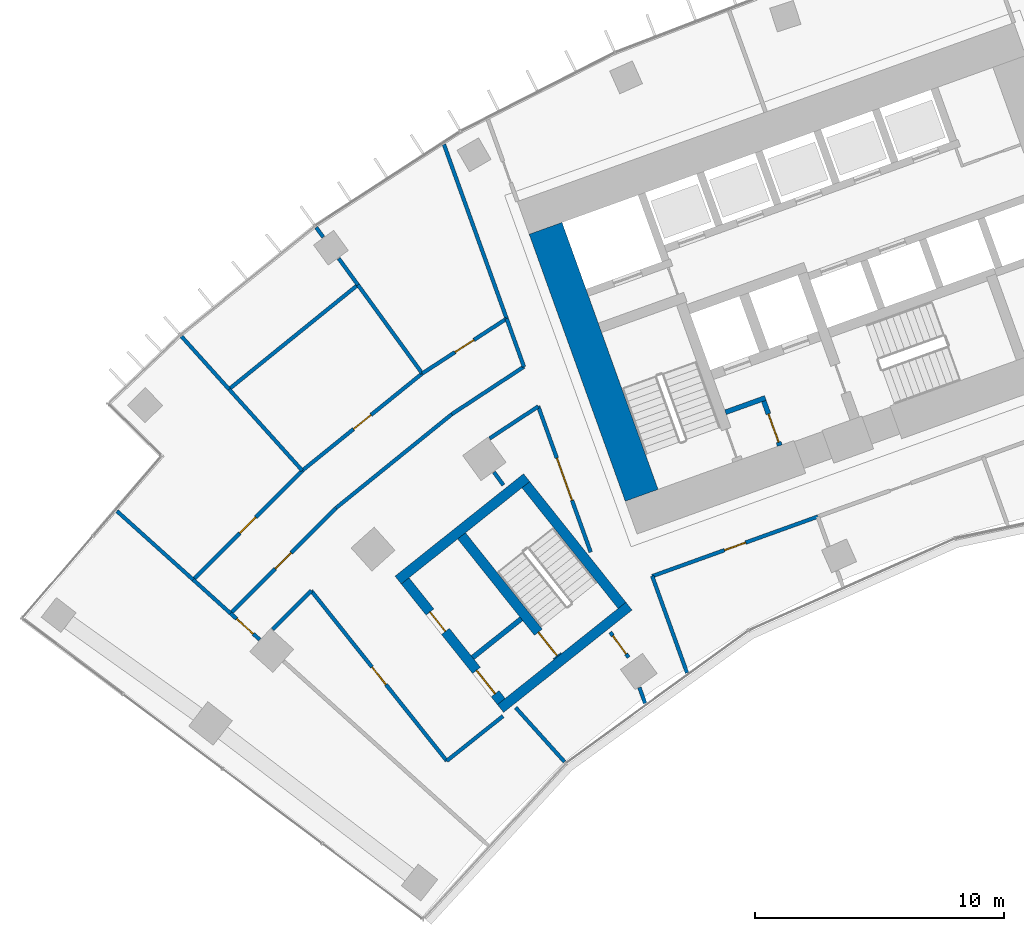
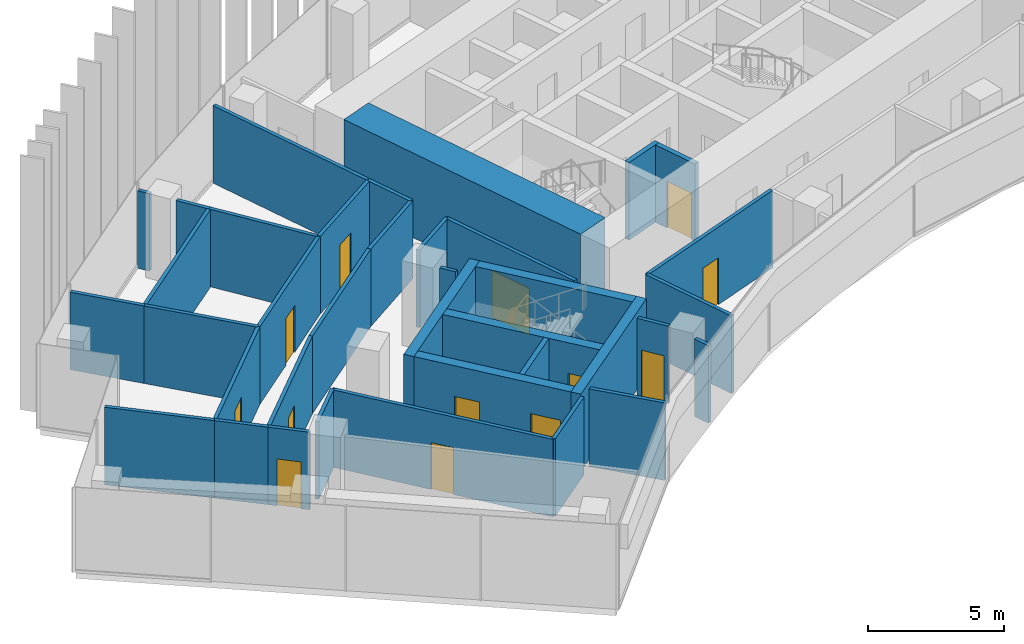
# One storey, part 15 of 23: 37 walls, 13 doors, 13 openings.
"""IFC4 building model written with IfcOpenShell, lengths in metres."""

from ifc_helpers import new_model, si_unit, direction, frame, frame_2d, origin, place, context, subcontext, project, spatial, rectangle, extrude, material, layer, layer_set, type_object, element, fill, save


model = new_model("IFC4")

# Units and contexts
model_context = context("Model", 3, precision=1e-05, world=origin(), true_north=direction((0.0, 1.0)))
body_context = subcontext(model_context, "Body", "Model", "MODEL_VIEW")
ifc_project = project(units=[si_unit("LENGTHUNIT", "METRE"), si_unit("AREAUNIT", "SQUARE_METRE"), si_unit("VOLUMEUNIT", "CUBIC_METRE"), si_unit("PLANEANGLEUNIT", "RADIAN"), si_unit("MASSUNIT", "GRAM", prefix="KILO")], contexts=[model_context])

# Site, building, storey
site_placement = place(None, origin())
site = spatial("IfcSite", under=ifc_project, at=site_placement, CompositionType="ELEMENT")
building_placement = place(site_placement, origin())
building = spatial("IfcBuilding", under=site, at=building_placement, Name="Stone Belt Terrace Tower", CompositionType="ELEMENT")
storey_placement = place(building_placement, frame((0.0, 0.0, 144.0)))
storey = spatial("IfcBuildingStorey", under=building, at=storey_placement, Name="L34", CompositionType="ELEMENT", Elevation=144.0)

# Walls
ifc_material_1 = material(Name="Concrete B80", Category="concrete")
ifc_layer_1 = layer(ifc_material_1, 1.39990234375)
ifc_layer_set_1 = layer_set([ifc_layer_1], Name="Core wall 1400 B80")
wall_type_1 = type_object("IfcWallType", Name="Core wall 1400 B80", PredefinedType="SHEAR", material=ifc_layer_set_1)
wall_1_placement = place(storey_placement, frame((-26.00927734375, 43.03515625, 0.0), z_axis=(0.0, 0.0, 1.0), x_axis=(-0.338625431531, 0.940921259788, 0.0)))
element("IfcWall", 1, at=wall_1_placement, inside=storey, type_object=wall_type_1, Name="Core A wall end_a L34", PredefinedType="SHEAR", context=body_context, shape_type="SweptSolid", body=[
    extrude(rectangle(XDim=11.400146484375, YDim=1.39990234375, at=frame_2d((5.7001953125, 0.0))), origin(), (0.0, 0.0, 1.0), 3.800048828125),
])
ifc_material_2 = material(Name="Gypsum board partition")
ifc_layer_2 = layer(ifc_material_2, 0.14990234375)
ifc_layer_set_2 = layer_set([ifc_layer_2], Name="PARTITION 150 EI 60")
wall_type_2 = type_object("IfcWallType", Name="PARTITION 150 EI 60", PredefinedType="PARTITIONING", material=ifc_layer_set_2)
wall_2_placement = place(storey_placement, frame((-25.5859375, 39.79296875, 0.0), z_axis=(0.0, 0.0, 1.0), x_axis=(0.338545933013, -0.940949866486, 0.0)))
element("IfcWall", 2, at=wall_2_placement, inside=storey, type_object=wall_type_2, Name="L34/wall/i001", PredefinedType="PARTITIONING", context=body_context, shape_type="SweptSolid", body=[
    extrude(rectangle(XDim=4.135009765625, YDim=0.14990234375, at=frame_2d((2.0673828125, 0.0))), origin(), (0.0, 0.0, 1.0), 3.47998046875),
])

# Wall, opening, door
wall_3_placement = place(storey_placement, frame((-28.05810546875, 40.75390625, 0.0), z_axis=(0.0, 0.0, 1.0), x_axis=(-0.338523697563, 0.94095786632, 0.0)))
wall_3 = element("IfcWall", 3, at=wall_3_placement, inside=storey, type_object=wall_type_2, Name="L34/wall/i003", PredefinedType="PARTITIONING", context=body_context, shape_type="SweptSolid", body=[
    extrude(rectangle(XDim=6.226806640625, YDim=0.14990234375, at=frame_2d((3.11328125, 0.0))), origin(), (0.0, 0.0, 1.0), 3.47998046875),
])
opening_1_placement = place(wall_3_placement, frame((2.21337890625, 0.0, 0.0)))
opening_1 = element("IfcOpeningElement", 4, at=opening_1_placement, cuts=wall_3, Name="Opening D-SK1-12", PredefinedType="OPENING", context=body_context, shape_type="SweptSolid", body=[
    extrude(rectangle(XDim=1.800048828125, YDim=2.10009765625, at=frame_2d((0.89990234375, 1.050048828125))), frame((0.0, 0.0849609375, 0.0), z_axis=(0.0, -1.0, 0.0), x_axis=(1.0, 0.0, 0.0)), (0.0, 0.0, 1.0), 0.169921875),
])
ifc_material_3 = material(Name="Timber door leaf", Category="wood")
door_type_1 = type_object("IfcDoorType", Name="DOUBLE DOOR 1800 X 2100", OperationType="DOUBLE_DOOR_SINGLE_SWING", PredefinedType="DOOR", material=ifc_material_3)
door_1_placement = place(opening_1_placement, origin())
door_1 = element("IfcDoor", 5, at=door_1_placement, inside=storey, type_object=door_type_1, Name="L34/door/i12", OperationType="DOUBLE_DOOR_SINGLE_SWING", OverallHeight=2.10009765625, OverallWidth=1.800048828125, PredefinedType="DOOR", context=body_context, shape_type="SweptSolid", body=[
    extrude(rectangle(XDim=1.800048828125, YDim=2.10009765625, at=frame_2d((0.89990234375, 1.050048828125))), frame((0.0, 0.02490234375, 0.0), z_axis=(0.0, -1.0, 0.0), x_axis=(1.0, 0.0, 0.0)), (0.0, 0.0, 1.0), 0.050048828125),
])
fill(opening_1, door_1)

# Wall
wall_4_placement = place(storey_placement, frame((-25.870849609375, 34.67822265625, 0.0), z_axis=(0.0, 0.0, 1.0), x_axis=(-0.338744881741, 0.940878262632, 0.0)))
element("IfcWall", 6, at=wall_4_placement, inside=storey, type_object=wall_type_2, Name="L34/wall/i004", PredefinedType="PARTITIONING", context=body_context, shape_type="SweptSolid", body=[
    extrude(rectangle(XDim=0.680419921875, YDim=0.14990234375, at=frame_2d((0.34033203125, 0.0))), origin(), (0.0, 0.0, 1.0), 3.47998046875),
])

# Wall, opening, door
wall_5_placement = place(storey_placement, frame((-26.534912109375, 36.52294921875, 0.0), z_axis=(0.0, 0.0, 1.0), x_axis=(-0.58822969918, 0.80869389821, 0.0)))
wall_5 = element("IfcWall", 7, at=wall_5_placement, inside=storey, type_object=wall_type_2, Name="L34/wall/i005", PredefinedType="PARTITIONING", context=body_context, shape_type="SweptSolid", body=[
    extrude(rectangle(XDim=1.25146484375, YDim=0.14990234375, at=frame_2d((0.625732421875, 0.0))), origin(), (0.0, 0.0, 1.0), 3.47998046875),
])
opening_2_placement = place(wall_5_placement, frame((0.17578125, 0.0, 0.0)))
opening_2 = element("IfcOpeningElement", 8, at=opening_2_placement, cuts=wall_5, Name="Opening D-SK1-13", PredefinedType="OPENING", context=body_context, shape_type="SweptSolid", body=[
    extrude(rectangle(XDim=0.89990234375, YDim=2.10009765625, at=frame_2d((0.449951171875, 1.050048828125))), frame((0.0, 0.0849609375, 0.0), z_axis=(0.0, -1.0, 0.0), x_axis=(1.0, 0.0, 0.0)), (0.0, 0.0, 1.0), 0.169921875),
])
door_type_2 = type_object("IfcDoorType", Name="OFFICE DOOR 900 X 2100", OperationType="NOTDEFINED", PredefinedType="DOOR", material=ifc_material_3)
door_2_placement = place(opening_2_placement, origin())
door_2 = element("IfcDoor", 9, at=door_2_placement, inside=storey, type_object=door_type_2, Name="L34/door/i13", OperationType="SINGLE_SWING_RIGHT", OverallHeight=2.10009765625, OverallWidth=0.89990234375, PredefinedType="DOOR", context=body_context, shape_type="SweptSolid", body=[
    extrude(rectangle(XDim=0.89990234375, YDim=2.10009765625, at=frame_2d((0.449951171875, 1.050048828125))), frame((0.0, 0.02490234375, 0.0), z_axis=(0.0, -1.0, 0.0), x_axis=(1.0, 0.0, 0.0)), (0.0, 0.0, 1.0), 0.050048828125),
])
fill(opening_2, door_2)

# Walls
wall_6_placement = place(storey_placement, frame((-30.737060546875, 48.197021484375, 0.0), z_axis=(0.0, 0.0, 1.0), x_axis=(-0.338522672426, 0.940958235127, 0.0)))
element("IfcWall", 10, at=wall_6_placement, inside=storey, type_object=wall_type_2, Name="L34/wall/i006", PredefinedType="PARTITIONING", context=body_context, shape_type="SweptSolid", body=[
    extrude(rectangle(XDim=2.064697265625, YDim=0.14990234375, at=frame_2d((1.0322265625, 0.0))), origin(), (0.0, 0.0, 1.0), 3.47998046875),
])
wall_7_placement = place(storey_placement, frame((-31.431884765625, 50.12890625, 0.0), z_axis=(0.0, 0.0, 1.0), x_axis=(-0.338627692375, 0.940920446136, 0.0)))
element("IfcWall", 11, at=wall_7_placement, inside=storey, type_object=wall_type_2, Name="L34/wall/i007", PredefinedType="PARTITIONING", context=body_context, shape_type="SweptSolid", body=[
    extrude(rectangle(XDim=7.44189453125, YDim=0.14990234375, at=frame_2d((3.720947265625, 0.0))), origin(), (0.0, 0.0, 1.0), 3.47998046875),
])

# Wall, opening, door
wall_8_placement = place(storey_placement, frame((-18.928955078125, 42.181884765625, 0.0), z_axis=(0.0, 0.0, 1.0), x_axis=(-0.940934046642, -0.338589899245, 0.0)))
wall_8 = element("IfcWall", 12, at=wall_8_placement, inside=storey, type_object=wall_type_2, Name="L34/wall/i012", PredefinedType="PARTITIONING", context=body_context, shape_type="SweptSolid", body=[
    extrude(rectangle(XDim=7.07275390625, YDim=0.14990234375, at=frame_2d((3.536376953125, 0.0))), origin(), (0.0, 0.0, 1.0), 3.47998046875),
])
opening_3_placement = place(wall_8_placement, frame((3.08642578125, 0.0, 0.0)))
opening_3 = element("IfcOpeningElement", 13, at=opening_3_placement, cuts=wall_8, Name="Opening D-SK1-01", PredefinedType="OPENING", context=body_context, shape_type="SweptSolid", body=[
    extrude(rectangle(XDim=0.89990234375, YDim=2.10009765625, at=frame_2d((0.449951171875, 1.050048828125))), frame((0.0, 0.0849609375, 0.0), z_axis=(0.0, -1.0, 0.0), x_axis=(1.0, 0.0, 0.0)), (0.0, 0.0, 1.0), 0.169921875),
])
door_3_placement = place(opening_3_placement, origin())
door_3 = element("IfcDoor", 14, at=door_3_placement, inside=storey, type_object=door_type_2, Name="L34/door/i01", OperationType="SINGLE_SWING_RIGHT", OverallHeight=2.10009765625, OverallWidth=0.89990234375, PredefinedType="DOOR", context=body_context, shape_type="SweptSolid", body=[
    extrude(rectangle(XDim=0.89990234375, YDim=2.10009765625, at=frame_2d((0.449951171875, 1.050048828125))), frame((0.0, 0.02490234375, 0.0), z_axis=(0.0, -1.0, 0.0), x_axis=(1.0, 0.0, 0.0)), (0.0, 0.0, 1.0), 0.050048828125),
])
fill(opening_3, door_3)

wall_9_placement = place(storey_placement, frame((-41.35986328125, 37.240478515625, 0.0), z_axis=(0.0, 0.0, 1.0), x_axis=(-0.742885543222, 0.669418456327, 0.0)))
wall_9 = element("IfcWall", 15, at=wall_9_placement, inside=storey, type_object=wall_type_2, Name="L34/wall/i035", PredefinedType="PARTITIONING", context=body_context, shape_type="SweptSolid", body=[
    extrude(rectangle(XDim=1.5751953125, YDim=0.14990234375, at=frame_2d((0.78759765625, 0.0))), origin(), (0.0, 0.0, 1.0), 3.47998046875),
])
opening_4_placement = place(wall_9_placement, frame((0.337646484375, 0.0, 0.0)))
opening_4 = element("IfcOpeningElement", 16, at=opening_4_placement, cuts=wall_9, Name="Opening D-SK1-11", PredefinedType="OPENING", context=body_context, shape_type="SweptSolid", body=[
    extrude(rectangle(XDim=0.89990234375, YDim=2.10009765625, at=frame_2d((0.449951171875, 1.050048828125))), frame((0.0, 0.0849609375, 0.0), z_axis=(0.0, -1.0, 0.0), x_axis=(1.0, 0.0, 0.0)), (0.0, 0.0, 1.0), 0.169921875),
])
door_4_placement = place(opening_4_placement, origin())
door_4 = element("IfcDoor", 17, at=door_4_placement, inside=storey, type_object=door_type_2, Name="L34/door/i11", OperationType="SINGLE_SWING_RIGHT", OverallHeight=2.10009765625, OverallWidth=0.89990234375, PredefinedType="DOOR", context=body_context, shape_type="SweptSolid", body=[
    extrude(rectangle(XDim=0.89990234375, YDim=2.10009765625, at=frame_2d((0.449951171875, 1.050048828125))), frame((0.0, 0.02490234375, 0.0), z_axis=(0.0, -1.0, 0.0), x_axis=(1.0, 0.0, 0.0)), (0.0, 0.0, 1.0), 0.050048828125),
])
fill(opening_4, door_4)

# Walls
wall_10_placement = place(storey_placement, frame((-44.032958984375, 39.64892578125, 0.0), z_axis=(0.0, 0.0, 1.0), x_axis=(0.742822489991, -0.669488422875, 0.0)))
element("IfcWall", 18, at=wall_10_placement, inside=storey, type_object=wall_type_2, Name="L34/wall/i037", PredefinedType="PARTITIONING", context=body_context, shape_type="SweptSolid", body=[
    extrude(rectangle(XDim=2.0341796875, YDim=0.14990234375, at=frame_2d((1.01708984375, 0.0))), origin(), (0.0, 0.0, 1.0), 3.47998046875),
])
wall_11_placement = place(storey_placement, frame((-47.09228515625, 42.40283203125, 0.0), z_axis=(0.0, 0.0, 1.0), x_axis=(0.743164720572, -0.669108509958, 0.0)))
element("IfcWall", 19, at=wall_11_placement, inside=storey, type_object=wall_type_2, Name="L34/wall/i038", PredefinedType="PARTITIONING", context=body_context, shape_type="SweptSolid", body=[
    extrude(rectangle(XDim=4.12744140625, YDim=0.14990234375, at=frame_2d((2.063720703125, 0.0))), origin(), (0.0, 0.0, 1.0), 3.47998046875),
])
wall_12_placement = place(storey_placement, frame((-30.1650390625, 46.60595703125, 0.0), z_axis=(0.0, 0.0, 1.0), x_axis=(-0.835424653074, -0.549604993641, 0.0)))
element("IfcWall", 20, at=wall_12_placement, inside=storey, type_object=wall_type_2, Name="L34/wall/i039", PredefinedType="PARTITIONING", context=body_context, shape_type="SweptSolid", body=[
    extrude(rectangle(XDim=2.337890625, YDim=0.14990234375, at=frame_2d((1.1689453125, 0.0))), origin(), (0.0, 0.0, 1.0), 3.47998046875),
])
wall_13_placement = place(storey_placement, frame((-31.943115234375, 43.966064453125, 0.0), z_axis=(0.0, 0.0, 1.0), x_axis=(0.588149120926, -0.808752503275, 0.0)))
element("IfcWall", 21, at=wall_13_placement, inside=storey, type_object=wall_type_2, Name="L34/wall/i040", PredefinedType="PARTITIONING", context=body_context, shape_type="SweptSolid", body=[
    extrude(rectangle(XDim=0.64306640625, YDim=0.14990234375, at=frame_2d((0.321533203125, 0.0))), origin(), (0.0, 0.0, 1.0), 3.47998046875),
])
wall_14_placement = place(storey_placement, frame((-39.281982421875, 39.205078125, 0.0), z_axis=(0.0, 0.0, 1.0), x_axis=(-0.707106781187, -0.707106781187, 0.0)))
element("IfcWall", 22, at=wall_14_placement, inside=storey, type_object=wall_type_2, Name="L34/wall/i041", PredefinedType="PARTITIONING", context=body_context, shape_type="SweptSolid", body=[
    extrude(rectangle(XDim=2.1982421875, YDim=0.14990234375, at=frame_2d((1.09912109375, 0.0))), origin(), (0.0, 0.0, 1.0), 3.47998046875),
])

# Wall, opening, door
wall_15_placement = place(storey_placement, frame((-42.52587890625, 38.291015625, 0.0), z_axis=(0.0, 0.0, 1.0), x_axis=(0.707106781187, 0.707106781187, 0.0)))
wall_15 = element("IfcWall", 23, at=wall_15_placement, inside=storey, type_object=wall_type_2, Name="L34/wall/i042", PredefinedType="PARTITIONING", context=body_context, shape_type="SweptSolid", body=[
    extrude(rectangle(XDim=5.989013671875, YDim=0.14990234375, at=frame_2d((2.99462890625, 0.0))), origin(), (0.0, 0.0, 1.0), 3.47998046875),
])
opening_5_placement = place(wall_15_placement, frame((2.544677734375, 0.0, 0.0)))
opening_5 = element("IfcOpeningElement", 24, at=opening_5_placement, cuts=wall_15, Name="Opening D-SK1-15", PredefinedType="OPENING", context=body_context, shape_type="SweptSolid", body=[
    extrude(rectangle(XDim=0.89990234375, YDim=2.10009765625, at=frame_2d((0.449951171875, 1.050048828125))), frame((0.0, 0.0849609375, 0.0), z_axis=(0.0, -1.0, 0.0), x_axis=(1.0, 0.0, 0.0)), (0.0, 0.0, 1.0), 0.169921875),
])
door_5_placement = place(opening_5_placement, origin())
door_5 = element("IfcDoor", 25, at=door_5_placement, inside=storey, type_object=door_type_2, Name="L34/door/i15", OperationType="SINGLE_SWING_RIGHT", OverallHeight=2.10009765625, OverallWidth=0.89990234375, PredefinedType="DOOR", context=body_context, shape_type="SweptSolid", body=[
    extrude(rectangle(XDim=0.89990234375, YDim=2.10009765625, at=frame_2d((0.449951171875, 1.050048828125))), frame((0.0, 0.02490234375, 0.0), z_axis=(0.0, -1.0, 0.0), x_axis=(1.0, 0.0, 0.0)), (0.0, 0.0, 1.0), 0.050048828125),
])
fill(opening_5, door_5)

# Walls
wall_16_placement = place(storey_placement, frame((-38.2900390625, 42.527099609375, 0.0), z_axis=(0.0, 0.0, 1.0), x_axis=(0.77714422733, 0.629322532513, 0.0)))
element("IfcWall", 26, at=wall_16_placement, inside=storey, type_object=wall_type_2, Name="L34/wall/i043", PredefinedType="PARTITIONING", context=body_context, shape_type="SweptSolid", body=[
    extrude(rectangle(XDim=5.98876953125, YDim=0.14990234375, at=frame_2d((2.994384765625, 0.0))), origin(), (0.0, 0.0, 1.0), 3.47998046875),
])
wall_17_placement = place(storey_placement, frame((-33.635986328125, 46.2958984375, 0.0), z_axis=(0.0, 0.0, 1.0), x_axis=(0.835274160171, 0.549833681535, 0.0)))
element("IfcWall", 27, at=wall_17_placement, inside=storey, type_object=wall_type_2, Name="L34/wall/i044", PredefinedType="PARTITIONING", context=body_context, shape_type="SweptSolid", body=[
    extrude(rectangle(XDim=3.46826171875, YDim=0.14990234375, at=frame_2d((1.734130859375, 0.0))), origin(), (0.0, 0.0, 1.0), 3.47998046875),
])
wall_18_placement = place(storey_placement, frame((-31.5810546875, 34.1650390625, 0.0), z_axis=(0.0, 0.0, 1.0), x_axis=(-0.782079504581, -0.623178665003, 0.0)))
element("IfcWall", 28, at=wall_18_placement, inside=storey, type_object=wall_type_2, Name="L34/wall/i045", PredefinedType="PARTITIONING", context=body_context, shape_type="SweptSolid", body=[
    extrude(rectangle(XDim=2.888427734375, YDim=0.14990234375, at=frame_2d((1.4443359375, 0.0))), origin(), (0.0, 0.0, 1.0), 3.47998046875),
])

# Wall, opening, door
wall_19_placement = place(storey_placement, frame((-33.840087890625, 32.364990234375, 0.0), z_axis=(0.0, 0.0, 1.0), x_axis=(-0.6230926474, 0.782148037622, 0.0)))
wall_19 = element("IfcWall", 29, at=wall_19_placement, inside=storey, type_object=wall_type_2, Name="L34/wall/i046", PredefinedType="PARTITIONING", context=body_context, shape_type="SweptSolid", body=[
    extrude(rectangle(XDim=8.739990234375, YDim=0.14990234375, at=frame_2d((4.3701171875, 0.0))), origin(), (0.0, 0.0, 1.0), 3.47998046875),
])
opening_6_placement = place(wall_19_placement, frame((3.920166015625, 0.0, 0.0)))
opening_6 = element("IfcOpeningElement", 30, at=opening_6_placement, cuts=wall_19, Name="Opening D-SK1-14", PredefinedType="OPENING", context=body_context, shape_type="SweptSolid", body=[
    extrude(rectangle(XDim=0.89990234375, YDim=2.10009765625, at=frame_2d((0.449951171875, 1.050048828125))), frame((0.0, 0.0849609375, 0.0), z_axis=(0.0, -1.0, 0.0), x_axis=(1.0, 0.0, 0.0)), (0.0, 0.0, 1.0), 0.169921875),
])
door_6_placement = place(opening_6_placement, origin())
door_6 = element("IfcDoor", 31, at=door_6_placement, inside=storey, type_object=door_type_2, Name="L34/door/i14", OperationType="SINGLE_SWING_LEFT", OverallHeight=2.10009765625, OverallWidth=0.89990234375, PredefinedType="DOOR", context=body_context, shape_type="SweptSolid", body=[
    extrude(rectangle(XDim=0.89990234375, YDim=2.10009765625, at=frame_2d((0.449951171875, 1.050048828125))), frame((0.0, 0.02490234375, 0.0), z_axis=(0.0, -1.0, 0.0), x_axis=(1.0, 0.0, 0.0)), (0.0, 0.0, 1.0), 0.050048828125),
])
fill(opening_6, door_6)

# Wall
wall_20_placement = place(storey_placement, frame((-29.107177734375, 32.32666015625, 0.0), z_axis=(0.0, 0.0, 1.0), x_axis=(-0.669245075227, 0.74304174128, 0.0)))
element("IfcWall", 32, at=wall_20_placement, inside=storey, type_object=wall_type_2, Name="L34/wall/i047", PredefinedType="PARTITIONING", context=body_context, shape_type="SweptSolid", body=[
    extrude(rectangle(XDim=2.9345703125, YDim=0.14990234375, at=frame_2d((1.46728515625, 0.0))), origin(), (0.0, 0.0, 1.0), 3.47998046875),
])

# Wall, opening, door
wall_21_placement = place(storey_placement, frame((-44.029052734375, 39.64501953125, 0.0), z_axis=(0.0, 0.0, 1.0), x_axis=(0.707106781187, 0.707106781187, 0.0)))
wall_21 = element("IfcWall", 33, at=wall_21_placement, inside=storey, type_object=wall_type_2, Name="L34/wall/i048", PredefinedType="PARTITIONING", context=body_context, shape_type="SweptSolid", body=[
    extrude(rectangle(XDim=6.201416015625, YDim=0.14990234375, at=frame_2d((3.1005859375, 0.0))), origin(), (0.0, 0.0, 1.0), 3.47998046875),
])
opening_7_placement = place(wall_21_placement, frame((2.650634765625, 0.0, 0.0)))
opening_7 = element("IfcOpeningElement", 34, at=opening_7_placement, cuts=wall_21, Name="Opening D-SK1-16", PredefinedType="OPENING", context=body_context, shape_type="SweptSolid", body=[
    extrude(rectangle(XDim=0.89990234375, YDim=2.10009765625, at=frame_2d((0.449951171875, 1.050048828125))), frame((0.0, 0.0849609375, 0.0), z_axis=(0.0, -1.0, 0.0), x_axis=(1.0, 0.0, 0.0)), (0.0, 0.0, 1.0), 0.169921875),
])
door_7_placement = place(opening_7_placement, origin())
door_7 = element("IfcDoor", 35, at=door_7_placement, inside=storey, type_object=door_type_2, Name="L34/door/i16", OperationType="SINGLE_SWING_RIGHT", OverallHeight=2.10009765625, OverallWidth=0.89990234375, PredefinedType="DOOR", context=body_context, shape_type="SweptSolid", body=[
    extrude(rectangle(XDim=0.89990234375, YDim=2.10009765625, at=frame_2d((0.449951171875, 1.050048828125))), frame((0.0, 0.02490234375, 0.0), z_axis=(0.0, -1.0, 0.0), x_axis=(1.0, 0.0, 0.0)), (0.0, 0.0, 1.0), 0.050048828125),
])
fill(opening_7, door_7)

wall_22_placement = place(storey_placement, frame((-39.64404296875, 44.030029296875, 0.0), z_axis=(0.0, 0.0, 1.0), x_axis=(0.777190769916, 0.629265053184, 0.0)))
wall_22 = element("IfcWall", 36, at=wall_22_placement, inside=storey, type_object=wall_type_2, Name="L34/wall/i049", PredefinedType="PARTITIONING", context=body_context, shape_type="SweptSolid", body=[
    extrude(rectangle(XDim=6.20068359375, YDim=0.14990234375, at=frame_2d((3.100341796875, 0.0))), origin(), (0.0, 0.0, 1.0), 3.47998046875),
])
opening_8_placement = place(wall_22_placement, frame((2.650390625, 0.0, 0.0)))
opening_8 = element("IfcOpeningElement", 37, at=opening_8_placement, cuts=wall_22, Name="Opening D-SK1-17", PredefinedType="OPENING", context=body_context, shape_type="SweptSolid", body=[
    extrude(rectangle(XDim=0.89990234375, YDim=2.10009765625, at=frame_2d((0.449951171875, 1.050048828125))), frame((0.0, 0.0849609375, 0.0), z_axis=(0.0, -1.0, 0.0), x_axis=(1.0, 0.0, 0.0)), (0.0, 0.0, 1.0), 0.169921875),
])
door_8_placement = place(opening_8_placement, origin())
door_8 = element("IfcDoor", 38, at=door_8_placement, inside=storey, type_object=door_type_2, Name="L34/door/i17", OperationType="SINGLE_SWING_RIGHT", OverallHeight=2.10009765625, OverallWidth=0.89990234375, PredefinedType="DOOR", context=body_context, shape_type="SweptSolid", body=[
    extrude(rectangle(XDim=0.89990234375, YDim=2.10009765625, at=frame_2d((0.449951171875, 1.050048828125))), frame((0.0, 0.02490234375, 0.0), z_axis=(0.0, -1.0, 0.0), x_axis=(1.0, 0.0, 0.0)), (0.0, 0.0, 1.0), 0.050048828125),
])
fill(opening_8, door_8)

wall_23_placement = place(storey_placement, frame((-34.824951171875, 47.931884765625, 0.0), z_axis=(0.0, 0.0, 1.0), x_axis=(0.838660143757, 0.544655086521, 0.0)))
wall_23 = element("IfcWall", 39, at=wall_23_placement, inside=storey, type_object=wall_type_2, Name="L34/wall/i050", PredefinedType="PARTITIONING", context=body_context, shape_type="SweptSolid", body=[
    extrude(rectangle(XDim=4.043212890625, YDim=0.14990234375, at=frame_2d((2.021484375, 0.0))), origin(), (0.0, 0.0, 1.0), 3.47998046875),
])
opening_9_placement = place(wall_23_placement, frame((1.571533203125, 0.0, 0.0)))
opening_9 = element("IfcOpeningElement", 40, at=opening_9_placement, cuts=wall_23, Name="Opening D-SK1-18", PredefinedType="OPENING", context=body_context, shape_type="SweptSolid", body=[
    extrude(rectangle(XDim=0.89990234375, YDim=2.10009765625, at=frame_2d((0.449951171875, 1.050048828125))), frame((0.0, 0.0849609375, 0.0), z_axis=(0.0, -1.0, 0.0), x_axis=(1.0, 0.0, 0.0)), (0.0, 0.0, 1.0), 0.169921875),
])
door_9_placement = place(opening_9_placement, origin())
door_9 = element("IfcDoor", 41, at=door_9_placement, inside=storey, type_object=door_type_2, Name="L34/door/i18", OperationType="SINGLE_SWING_RIGHT", OverallHeight=2.10009765625, OverallWidth=0.89990234375, PredefinedType="DOOR", context=body_context, shape_type="SweptSolid", body=[
    extrude(rectangle(XDim=0.89990234375, YDim=2.10009765625, at=frame_2d((0.449951171875, 1.050048828125))), frame((0.0, 0.02490234375, 0.0), z_axis=(0.0, -1.0, 0.0), x_axis=(1.0, 0.0, 0.0)), (0.0, 0.0, 1.0), 0.050048828125),
])
fill(opening_9, door_9)

# Walls
wall_24_placement = place(storey_placement, frame((-42.592041015625, 47.302978515625, 0.0), z_axis=(0.0, 0.0, 1.0), x_axis=(0.669258646934, -0.74302951725, 0.0)))
element("IfcWall", 42, at=wall_24_placement, inside=storey, type_object=wall_type_2, Name="L34/wall/i051", PredefinedType="PARTITIONING", context=body_context, shape_type="SweptSolid", body=[
    extrude(rectangle(XDim=4.40478515625, YDim=0.14990234375, at=frame_2d((2.202392578125, 0.0))), origin(), (0.0, 0.0, 1.0), 3.47998046875),
])
wall_25_placement = place(storey_placement, frame((-44.496826171875, 49.41943359375, 0.0), z_axis=(0.0, 0.0, 1.0), x_axis=(0.66894586308, -0.743311127502, 0.0)))
element("IfcWall", 43, at=wall_25_placement, inside=storey, type_object=wall_type_2, Name="L34/wall/i052", PredefinedType="PARTITIONING", context=body_context, shape_type="SweptSolid", body=[
    extrude(rectangle(XDim=2.859375, YDim=0.14990234375, at=frame_2d((1.4296875, 0.0))), origin(), (0.0, 0.0, 1.0), 3.47998046875),
])
wall_26_placement = place(storey_placement, frame((-42.587890625, 47.299072265625, 0.0), z_axis=(0.0, 0.0, 1.0), x_axis=(0.777100621569, 0.629376377025, 0.0)))
element("IfcWall", 44, at=wall_26_placement, inside=storey, type_object=wall_type_2, Name="L34/wall/i053", PredefinedType="PARTITIONING", context=body_context, shape_type="SweptSolid", body=[
    extrude(rectangle(XDim=6.661865234375, YDim=0.14990234375, at=frame_2d((3.3310546875, 0.0))), origin(), (0.0, 0.0, 1.0), 3.47998046875),
])
wall_27_placement = place(storey_placement, frame((-37.410888671875, 51.491943359375, 0.0), z_axis=(0.0, 0.0, 1.0), x_axis=(0.587696525109, -0.809081451014, 0.0)))
element("IfcWall", 45, at=wall_27_placement, inside=storey, type_object=wall_type_2, Name="L34/wall/i054", PredefinedType="PARTITIONING", context=body_context, shape_type="SweptSolid", body=[
    extrude(rectangle(XDim=4.400146484375, YDim=0.14990234375, at=frame_2d((2.2001953125, 0.0))), origin(), (0.0, 0.0, 1.0), 3.47998046875),
])
wall_28_placement = place(storey_placement, frame((-39.087890625, 53.7998046875, 0.0), z_axis=(0.0, 0.0, 1.0), x_axis=(0.587839914735, -0.808977276964, 0.0)))
element("IfcWall", 46, at=wall_28_placement, inside=storey, type_object=wall_type_2, Name="L34/wall/i055", PredefinedType="PARTITIONING", context=body_context, shape_type="SweptSolid", body=[
    extrude(rectangle(XDim=0.4814453125, YDim=0.14990234375, at=frame_2d((0.24072265625, 0.0))), origin(), (0.0, 0.0, 1.0), 3.47998046875),
])
wall_29_placement = place(storey_placement, frame((-38.181884765625, 52.552978515625, 0.0), z_axis=(0.0, 0.0, 1.0), x_axis=(0.587839609229, -0.808977498958, 0.0)))
element("IfcWall", 47, at=wall_29_placement, inside=storey, type_object=wall_type_2, Name="L34/wall/i056", PredefinedType="PARTITIONING", context=body_context, shape_type="SweptSolid", body=[
    extrude(rectangle(XDim=1.3115234375, YDim=0.14990234375, at=frame_2d((0.65576171875, 0.0))), origin(), (0.0, 0.0, 1.0), 3.47998046875),
])
ifc_material_4 = material(Name="Concrete masonry block", Category="masonry")
ifc_layer_3 = layer(ifc_material_4, 0.199951171875)
ifc_layer_set_3 = layer_set([ifc_layer_3], Name="Rated lobby wall 200")
wall_type_3 = type_object("IfcWallType", Name="Rated lobby wall 200", PredefinedType="PARTITIONING", material=ifc_layer_set_3)
wall_30_placement = place(storey_placement, frame((-22.640625, 46.373046875, 0.0), z_axis=(0.0, 0.0, 1.0), x_axis=(0.940966110313, 0.338500781747, 0.0)))
element("IfcWall", 48, at=wall_30_placement, inside=storey, type_object=wall_type_3, Name="Core A wall", PredefinedType="PARTITIONING", context=body_context, shape_type="SweptSolid", body=[
    extrude(rectangle(XDim=1.699951171875, YDim=0.199951171875, at=frame_2d((0.85009765625, 0.0))), origin(), (0.0, 0.0, 1.0), 3.47998046875),
])

# Wall, opening, door
wall_31_placement = place(storey_placement, frame((-20.4580078125, 45.032958984375, 0.0), z_axis=(0.0, 0.0, 1.0), x_axis=(-0.338573865316, 0.940939816208, 0.0)))
wall_31 = element("IfcWall", 49, at=wall_31_placement, inside=storey, type_object=wall_type_3, Name="Core A wall", PredefinedType="PARTITIONING", context=body_context, shape_type="SweptSolid", body=[
    extrude(rectangle(XDim=1.900146484375, YDim=0.199951171875, at=frame_2d((0.9501953125, 0.0))), origin(), (0.0, 0.0, 1.0), 3.47998046875),
])
opening_10_placement = place(wall_31_placement, frame((0.14990234375, 0.0, 0.0)))
opening_10 = element("IfcOpeningElement", 50, at=opening_10_placement, cuts=wall_31, Name="Opening L34-C05", PredefinedType="OPENING", context=body_context, shape_type="SweptSolid", body=[
    extrude(rectangle(XDim=1.199951171875, YDim=2.10009765625, at=frame_2d((0.60009765625, 1.050048828125))), frame((0.0, 0.10986328125, 0.0), z_axis=(0.0, -1.0, 0.0), x_axis=(1.0, 0.0, 0.0)), (0.0, 0.0, 1.0), 0.219970703125),
])
ifc_material_5 = material(Name="Steel door leaf", Category="steel")
door_type_3 = type_object("IfcDoorType", Name="Stair door 1200", OperationType="SINGLE_SWING_LEFT", PredefinedType="DOOR", material=ifc_material_5)
door_10_placement = place(opening_10_placement, origin())
door_10 = element("IfcDoor", 51, at=door_10_placement, inside=storey, type_object=door_type_3, Name="Stair airlock door core A", OperationType="SINGLE_SWING_RIGHT", OverallHeight=2.10009765625, OverallWidth=1.199951171875, PredefinedType="DOOR", context=body_context, shape_type="SweptSolid", body=[
    extrude(rectangle(XDim=1.199951171875, YDim=2.10009765625, at=frame_2d((0.60009765625, 1.050048828125))), frame((0.0, 0.02490234375, 0.0), z_axis=(0.0, -1.0, 0.0), x_axis=(1.0, 0.0, 0.0)), (0.0, 0.0, 1.0), 0.050048828125),
])
fill(opening_10, door_10)

# Walls
wall_32_placement = place(storey_placement, frame((-30.845703125, 38.074951171875, 0.0), z_axis=(0.0, 0.0, 1.0), x_axis=(-0.782115323833, -0.623133709749, 0.0)))
element("IfcWall", 52, at=wall_32_placement, inside=storey, type_object=wall_type_3, Name="Exit stair ST3A wall", PredefinedType="PARTITIONING", context=body_context, shape_type="SweptSolid", body=[
    extrude(rectangle(XDim=2.5, YDim=0.199951171875, at=frame_2d((1.25, 0.0))), origin(), (0.0, 0.0, 1.0), 3.47998046875),
])
ifc_layer_4 = layer(ifc_material_1, 0.39990234375)
ifc_layer_set_4 = layer_set([ifc_layer_4], Name="Stair enclosure wall 400")
wall_type_4 = type_object("IfcWallType", Name="Stair enclosure wall 400", PredefinedType="SHEAR", material=ifc_layer_set_4)
for number, where, z_axis, x_axis, name in (
    (53, (-26.518798828125, 38.58154296875, 0.0), (0.0, 0.0, 1.0), (-0.782133914161, -0.623110375711, 0.0), "Exit stair ST3A wall"),
    (54, (-30.63134765625, 43.74365234375, 0.0), (0.0, 0.0, 1.0), (-0.782133914161, -0.623110375711, 0.0), "Exit stair ST3A wall"),
):
    element("IfcWall", number, at=place(storey_placement, frame(where, z_axis=z_axis, x_axis=x_axis)), inside=storey, type_object=wall_type_4, Name=name, PredefinedType="SHEAR", context=body_context, shape_type="SweptSolid", body=[
        extrude(rectangle(XDim=6.60009765625, YDim=0.39990234375, at=frame_2d((3.300048828125, 0.0))), origin(), (0.0, 0.0, 1.0), 3.47998046875),
    ])
wall_33_placement = place(storey_placement, frame((-26.7998046875, 38.61328125, 0.0), z_axis=(0.0, 0.0, 1.0), x_axis=(-0.623118653668, 0.782127319208, 0.0)))
element("IfcWall", 55, at=wall_33_placement, inside=storey, type_object=wall_type_4, Name="Exit stair ST3A wall", PredefinedType="SHEAR", context=body_context, shape_type="SweptSolid", body=[
    extrude(rectangle(XDim=6.199951171875, YDim=0.39990234375, at=frame_2d((3.10009765625, 0.0))), origin(), (0.0, 0.0, 1.0), 3.47998046875),
])

# Wall, openings, doors
wall_34_placement = place(storey_placement, frame((-31.64892578125, 34.75, 0.0), z_axis=(0.0, 0.0, 1.0), x_axis=(-0.623118653668, 0.782127319208, 0.0)))
wall_34 = element("IfcWall", 56, at=wall_34_placement, inside=storey, type_object=wall_type_4, Name="Exit stair ST3A wall", PredefinedType="SHEAR", context=body_context, shape_type="SweptSolid", body=[
    extrude(rectangle(XDim=6.199951171875, YDim=0.39990234375, at=frame_2d((3.10009765625, 0.0))), origin(), (0.0, 0.0, 1.0), 3.47998046875),
])
opening_11_placement = place(wall_34_placement, frame((0.39990234375, 0.0, 0.0)))
opening_11 = element("IfcOpeningElement", 57, at=opening_11_placement, cuts=wall_34, Name="Opening L34-C22", PredefinedType="OPENING", context=body_context, shape_type="SweptSolid", body=[
    extrude(rectangle(XDim=1.199951171875, YDim=2.10009765625, at=frame_2d((0.60009765625, 1.050048828125))), frame((0.0, 0.2099609375, 0.0), z_axis=(0.0, -1.0, 0.0), x_axis=(1.0, 0.0, 0.0)), (0.0, 0.0, 1.0), 0.419921875),
])
opening_12_placement = place(wall_34_placement, frame((3.60009765625, 0.0, 0.0)))
opening_12 = element("IfcOpeningElement", 58, at=opening_12_placement, cuts=wall_34, Name="Opening L34-C23", PredefinedType="OPENING", context=body_context, shape_type="SweptSolid", body=[
    extrude(rectangle(XDim=1.0, YDim=2.10009765625, at=frame_2d((0.5, 1.050048828125))), frame((0.0, 0.2099609375, 0.0), z_axis=(0.0, -1.0, 0.0), x_axis=(1.0, 0.0, 0.0)), (0.0, 0.0, 1.0), 0.419921875),
])
door_type_4 = type_object("IfcDoorType", Name="Core room door 1000", OperationType="SINGLE_SWING_LEFT", PredefinedType="DOOR", material=ifc_material_3)
door_11_placement = place(opening_12_placement, origin())
door_11 = element("IfcDoor", 59, at=door_11_placement, inside=storey, type_object=door_type_4, Name="Door to stair pressurisation plant room ST3A", OperationType="SINGLE_SWING_LEFT", OverallHeight=2.10009765625, OverallWidth=1.0, PredefinedType="DOOR", context=body_context, shape_type="SweptSolid", body=[
    extrude(rectangle(XDim=1.0, YDim=2.10009765625, at=frame_2d((0.5, 1.050048828125))), frame((0.0, 0.02490234375, 0.0), z_axis=(0.0, -1.0, 0.0), x_axis=(1.0, 0.0, 0.0)), (0.0, 0.0, 1.0), 0.050048828125),
])
fill(opening_12, door_11)
door_type_5 = type_object("IfcDoorType", Name="Stair airlock door 1200", OperationType="SINGLE_SWING_LEFT", PredefinedType="DOOR", material=ifc_material_5)
door_12_placement = place(opening_11_placement, origin())
door_12 = element("IfcDoor", 60, at=door_12_placement, inside=storey, type_object=door_type_5, Name="Stair airlock door ST3A", OperationType="SINGLE_SWING_LEFT", OverallHeight=2.10009765625, OverallWidth=1.199951171875, PredefinedType="DOOR", context=body_context, shape_type="SweptSolid", body=[
    extrude(rectangle(XDim=1.199951171875, YDim=2.10009765625, at=frame_2d((0.60009765625, 1.050048828125))), frame((0.0, 0.02490234375, 0.0), z_axis=(0.0, -1.0, 0.0), x_axis=(1.0, 0.0, 0.0)), (0.0, 0.0, 1.0), 0.050048828125),
])
fill(opening_11, door_12)

# Wall, opening, door
wall_35_placement = place(storey_placement, frame((-29.380859375, 36.556884765625, 0.0), z_axis=(0.0, 0.0, 1.0), x_axis=(-0.623099462847, 0.782142608097, 0.0)))
wall_35 = element("IfcWall", 61, at=wall_35_placement, inside=storey, type_object=wall_type_4, Name="Exit stair ST3A wall", PredefinedType="SHEAR", context=body_context, shape_type="SweptSolid", body=[
    extrude(rectangle(XDim=6.2001953125, YDim=0.39990234375, at=frame_2d((3.10009765625, 0.0))), origin(), (0.0, 0.0, 1.0), 3.47998046875),
])
opening_13_placement = place(wall_35_placement, frame((0.050048828125, 0.0, 0.0)))
opening_13 = element("IfcOpeningElement", 62, at=opening_13_placement, cuts=wall_35, Name="Opening L34-C21", PredefinedType="OPENING", context=body_context, shape_type="SweptSolid", body=[
    extrude(rectangle(XDim=1.199951171875, YDim=2.10009765625, at=frame_2d((0.60009765625, 1.050048828125))), frame((0.0, 0.2099609375, 0.0), z_axis=(0.0, -1.0, 0.0), x_axis=(1.0, 0.0, 0.0)), (0.0, 0.0, 1.0), 0.419921875),
])
door_13_placement = place(opening_13_placement, origin())
door_13 = element("IfcDoor", 63, at=door_13_placement, inside=storey, type_object=door_type_3, Name="Stair door ST3A", OperationType="SINGLE_SWING_RIGHT", OverallHeight=2.10009765625, OverallWidth=1.199951171875, PredefinedType="DOOR", context=body_context, shape_type="SweptSolid", body=[
    extrude(rectangle(XDim=1.199951171875, YDim=2.10009765625, at=frame_2d((0.60009765625, 1.050048828125))), frame((0.0, 0.02490234375, 0.0), z_axis=(0.0, -1.0, 0.0), x_axis=(1.0, 0.0, 0.0)), (0.0, 0.0, 1.0), 0.050048828125),
])
fill(opening_13, door_13)

save(model, "model.ifc")
